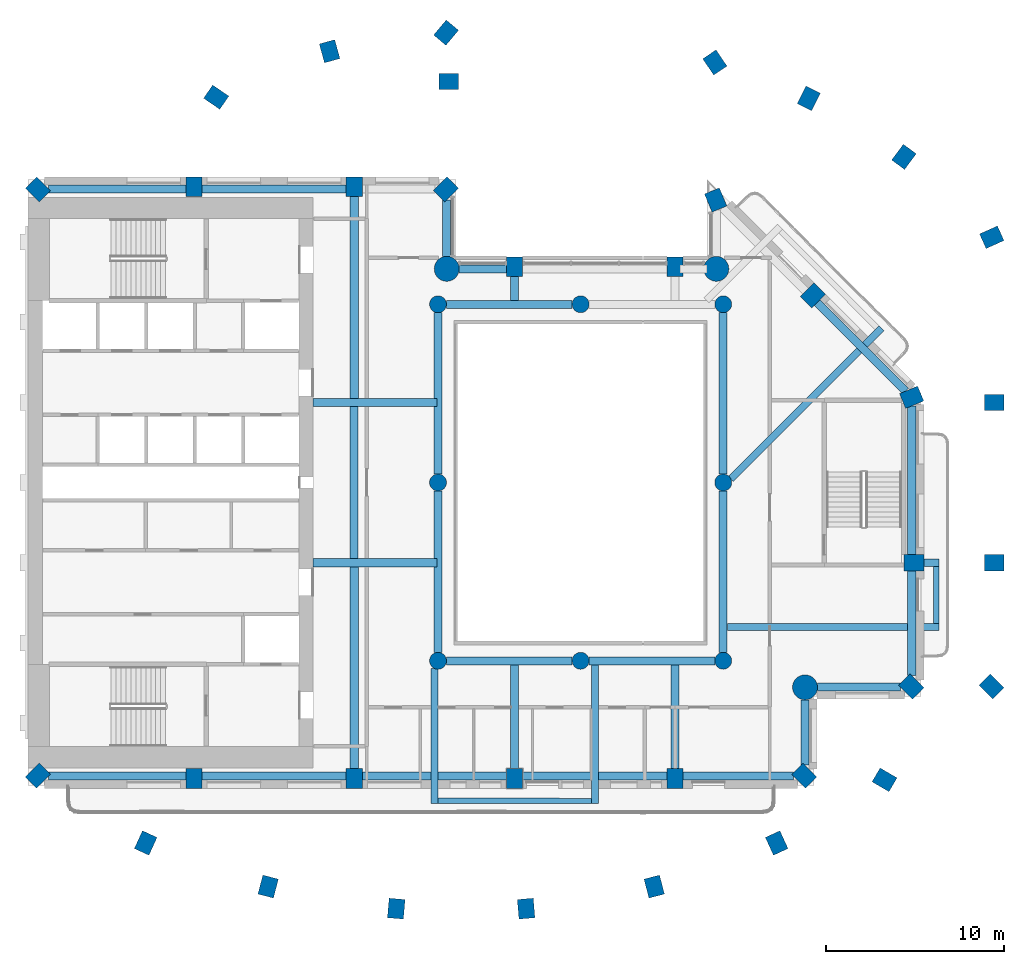
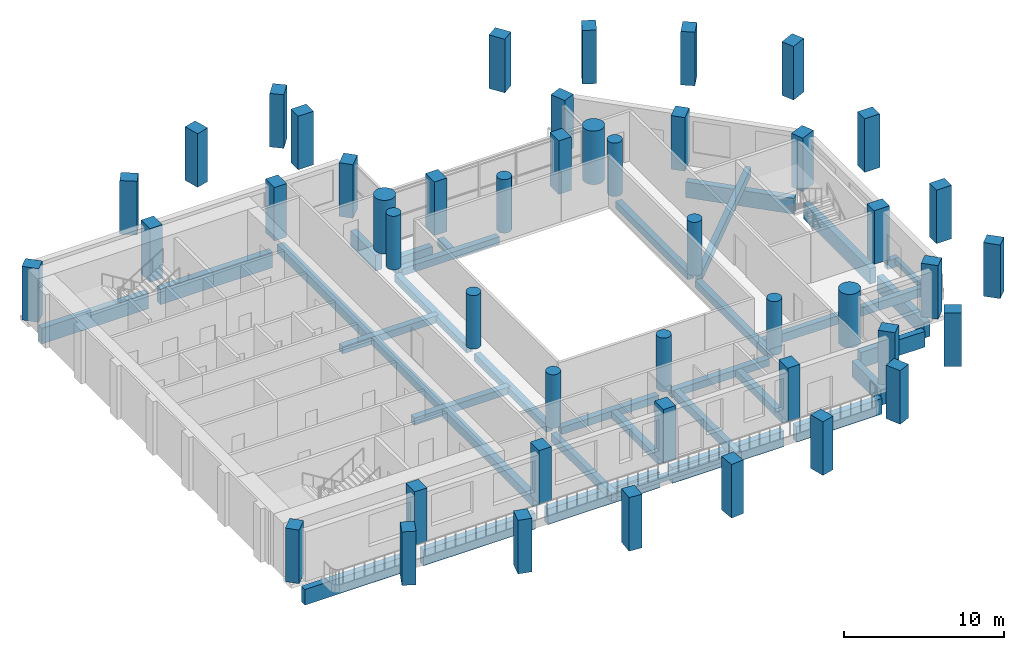
# One storey, part 1 of 14: 46 columns, 36 beams.
"""IFC4 building model written with IfcOpenShell, lengths in metres."""

from ifc_helpers import new_model, si_unit, direction, frame, origin, origin_2d, place, context, subcontext, project, spatial, rectangle, circle, extrude, material, material_profile, profile_set, type_object, element, save


model = new_model("IFC4")

# Units and contexts
model_context = context("Model", 3, precision=1e-05, world=origin(), true_north=direction((0.0, 1.0)))
body_context = subcontext(model_context, "Body", "Model", "MODEL_VIEW")
ifc_project = project(units=[si_unit("LENGTHUNIT", "METRE"), si_unit("AREAUNIT", "SQUARE_METRE"), si_unit("VOLUMEUNIT", "CUBIC_METRE"), si_unit("PLANEANGLEUNIT", "RADIAN"), si_unit("MASSUNIT", "GRAM", prefix="KILO")], contexts=[model_context])

# Site, building, storey
site_placement = place(None, origin())
site = spatial("IfcSite", under=ifc_project, at=site_placement, CompositionType="ELEMENT")
building_placement = place(site_placement, origin())
building = spatial("IfcBuilding", under=site, at=building_placement, Name="Cypress Arch Tower", CompositionType="ELEMENT")
storey_placement = place(building_placement, frame((0.0, 0.0, 201.5)))
storey = spatial("IfcBuildingStorey", under=building, at=storey_placement, Name="L44", CompositionType="ELEMENT", Elevation=201.5)

# Columns
ifc_material_1 = material(Name="Concrete C70/85", Category="concrete")
ifc_material_profile_1 = material_profile(ifc_material_1, rectangle(XDim=0.89990234375, YDim=1.10009765625, at=origin_2d()), Name="RC 900x1100")
ifc_profile_set_1 = profile_set([ifc_material_profile_1], Name="Concrete C70/85")
column_type_1 = type_object("IfcColumnType", Name="Column RC 900x1100 Concrete C70/85", PredefinedType="COLUMN", material=ifc_profile_set_1)
for number, where, z_axis, x_axis, name in (
    (1, (-29.44287109375, 16.44287109375, 0.0), (0.0, 0.0, 1.0), (-0.707106781187, -0.707106781187, 0.0), "Column L44 CB00"),
    (2, (-29.44287109375, -16.44287109375, 0.0), (0.0, 0.0, 1.0), (0.707106781187, -0.707106781187, 0.0), "Column L44 CB01"),
    (3, (-20.699951171875, -16.60009765625, 0.0), (0.0, 0.0, 1.0), (1.0, 0.0, 0.0), "Column L44 CB02"),
    (4, (-11.699951171875, -16.60009765625, 0.0), (0.0, 0.0, 1.0), (1.0, 0.0, 0.0), "Column L44 CB03"),
    (5, (-2.699951171875, -16.60009765625, 0.0), (0.0, 0.0, 1.0), (1.0, 0.0, 0.0), "Column L44 CB04"),
    (6, (6.300048828125, -16.60009765625, 0.0), (0.0, 0.0, 1.0), (1.0, 0.0, 0.0), "Column L44 CB05"),
    (7, (13.54296875, -16.44287109375, 0.0), (0.0, 0.0, 1.0), (0.707106781187, 0.707106781187, 0.0), "Column L44 CB06"),
    (8, (19.54296875, -11.44287109375, 0.0), (0.0, 0.0, 1.0), (0.707106781187, 0.707106781187, 0.0), "Column L44 CB08"),
    (9, (19.699951171875, -4.5, 0.0), (0.0, 0.0, 1.0), (0.0, 1.0, 0.0), "Column L44 CB09"),
    (10, (19.569580078125, 4.7802734375, 0.0), (0.0, 0.0, 1.0), (-0.382683496864, 0.923879505795, 0.0), "Column L44 CB10"),
    (11, (14.029296875, 10.505126953125, 0.0), (0.0, 0.0, 1.0), (-0.707106781187, 0.707106781187, 0.0), "Column L44 CB11"),
    (12, (8.576171875, 15.850341796875, 0.0), (0.0, 0.0, 1.0), (-0.923879672772, -0.382683093746, 0.0), "Column L44 CB12"),
    (13, (6.300048828125, 12.10009765625, 0.0), (0.0, 0.0, 1.0), (-1.0, 0.0, 0.0), "Column L44 CB14"),
    (14, (-2.699951171875, 12.10009765625, 0.0), (0.0, 0.0, 1.0), (-1.0, 0.0, 0.0), "Column L44 CB15"),
    (15, (-6.55712890625, 16.44287109375, 0.0), (0.0, 0.0, 1.0), (-0.707106781187, 0.707106781187, 0.0), "Column L44 CB17"),
    (16, (-11.699951171875, 16.60009765625, 0.0), (0.0, 0.0, 1.0), (-1.0, 0.0, 0.0), "Column L44 CB18"),
    (17, (-20.699951171875, 16.60009765625, 0.0), (0.0, 0.0, 1.0), (-1.0, 0.0, 0.0), "Column L44 CB19"),
    (18, (8.53076171875, 23.564697265625, 0.0), (0.0, 0.0, 1.0), (-0.828469606019, -0.560034027451, 0.0), "Column L44 CQ00"),
    (19, (-6.39990234375, 22.5, 0.0), (0.0, 0.0, 1.0), (0.0, 1.0, 0.0), "Column L44 CQ01"),
    (20, (-6.54833984375, 25.236572265625, 0.0), (0.0, 0.0, 1.0), (-0.766063514674, 0.642764880407, 0.0), "Column L44 CQ02"),
    (21, (-13.081298828125, 24.193359375, 0.0), (0.0, 0.0, 1.0), (-0.96345574646, -0.267867550506, 0.0), "Column L44 CQ03"),
    (22, (-19.44189453125, 21.616943359375, 0.0), (0.0, 0.0, 1.0), (-0.565892599589, -0.824478966215, 0.0), "Column L44 CQ04"),
    (23, (-23.398193359375, -20.221435546875, 0.0), (0.0, 0.0, 1.0), (0.909932071487, -0.414757308891, 0.0), "Column L44 CQ05"),
    (24, (-16.529052734375, -22.666259765625, 0.0), (0.0, 0.0, 1.0), (0.96735573689, -0.2534223319, 0.0), "Column L44 CQ06"),
    (25, (-9.3427734375, -23.903564453125, 0.0), (0.0, 0.0, 1.0), (0.996368206733, -0.085149260784, 0.0), "Column L44 CQ07"),
    (26, (-2.057373046875, -23.903564453125, 0.0), (0.0, 0.0, 1.0), (0.996368206733, 0.085149260784, 0.0), "Column L44 CQ08"),
    (27, (5.12890625, -22.666259765625, 0.0), (0.0, 0.0, 1.0), (0.96735573689, 0.2534223319, 0.0), "Column L44 CQ09"),
    (28, (11.998291015625, -20.221435546875, 0.0), (0.0, 0.0, 1.0), (0.909932071487, 0.414757308891, 0.0), "Column L44 CQ10"),
    (29, (18.048095703125, -16.677490234375, 0.0), (0.0, 0.0, 1.0), (0.504399289829, 0.86347053014, 0.0), "Column L44 CQ11"),
    (30, (24.04296875, -11.44287109375, 0.0), (0.0, 0.0, 1.0), (0.707106781187, 0.707106781187, 0.0), "Column L44 CQ12"),
    (31, (24.199951171875, -4.5, 0.0), (0.0, 0.0, 1.0), (0.0, 1.0, 0.0), "Column L44 CQ13"),
    (32, (24.199951171875, 4.5, 0.0), (0.0, 0.0, 1.0), (0.0, 1.0, 0.0), "Column L44 CQ14"),
    (33, (24.06396484375, 13.75927734375, 0.0), (0.0, 0.0, 1.0), (-0.409765058504, 0.912191096662, 0.0), "Column L44 CQ15"),
    (34, (19.13818359375, 18.267578125, 0.0), (0.0, 0.0, 1.0), (-0.802798546114, 0.596250362144, 0.0), "Column L44 CQ16"),
    (35, (13.80322265625, 21.549072265625, 0.0), (0.0, 0.0, 1.0), (-0.893106499805, 0.44984528452, 0.0), "Column L44 CQ17"),
):
    element("IfcColumn", number, at=place(storey_placement, frame(where, z_axis=z_axis, x_axis=x_axis)), inside=storey, type_object=column_type_1, Name=name, PredefinedType="COLUMN", context=body_context, shape_type="SweptSolid", body=[
        extrude(rectangle(XDim=0.89990234375, YDim=1.10009765625, at=origin_2d()), origin(), (0.0, 0.0, 1.0), 4.10009765625),
    ])
ifc_material_2 = material(Name="Concrete C70/85", Category="concrete")
ifc_material_profile_2 = material_profile(ifc_material_2, circle(Radius=0.47509765625, at=origin_2d()), Name="RC D950")
ifc_profile_set_2 = profile_set([ifc_material_profile_2], Name="Concrete C70/85")
column_type_2 = type_object("IfcColumnType", Name="Column RC D950 Concrete C70/85", PredefinedType="COLUMN", material=ifc_profile_set_2)
for number, where, z_axis, x_axis, name in (
    (36, (-7.0, -10.0, 0.0), (0.0, 0.0, 1.0), (1.0, 0.0, 0.0), "Column L44 RNG-L44-G-7-10"),
    (37, (-7.0, 0.0, 0.0), (0.0, 0.0, 1.0), (1.0, 0.0, 0.0), "Column L44 RNG-L44-G-7+0"),
    (38, (-7.0, 10.0, 0.0), (0.0, 0.0, 1.0), (1.0, 0.0, 0.0), "Column L44 RNG-L44-G-7+10"),
    (39, (1.0, -10.0, 0.0), (0.0, 0.0, 1.0), (1.0, 0.0, 0.0), "Column L44 RNG-L44-G+1-10"),
    (40, (1.0, 10.0, 0.0), (0.0, 0.0, 1.0), (1.0, 0.0, 0.0), "Column L44 RNG-L44-G+1+10"),
    (41, (9.0, -10.0, 0.0), (0.0, 0.0, 1.0), (1.0, 0.0, 0.0), "Column L44 RNG-L44-G+9-10"),
    (42, (9.0, 0.0, 0.0), (0.0, 0.0, 1.0), (1.0, 0.0, 0.0), "Column L44 RNG-L44-G+9+0"),
    (43, (9.0, 10.0, 0.0), (0.0, 0.0, 1.0), (1.0, 0.0, 0.0), "Column L44 RNG-L44-G+9+10"),
):
    element("IfcColumn", number, at=place(storey_placement, frame(where, z_axis=z_axis, x_axis=x_axis)), inside=storey, type_object=column_type_2, Name=name, PredefinedType="COLUMN", context=body_context, shape_type="SweptSolid", body=[
        extrude(circle(Radius=0.47509765625, at=origin_2d()), origin(), (0.0, 0.0, 1.0), 4.10009765625),
    ])
ifc_material_3 = material(Name="Concrete C70/85", Category="concrete")
ifc_material_profile_3 = material_profile(ifc_material_3, circle(Radius=0.699951171875, at=origin_2d()), Name="RC D1400")
ifc_profile_set_3 = profile_set([ifc_material_profile_3], Name="Concrete C70/85")
column_type_3 = type_object("IfcColumnType", Name="Mega-column RC D1400 Concrete C70/85", PredefinedType="COLUMN", material=ifc_profile_set_3)
for number, where, z_axis, x_axis, name in (
    (44, (13.587890625, -11.48779296875, 0.0), (0.0, 0.0, 1.0), (1.0, 0.0, 0.0), "Column L44 CB07"),
    (45, (8.612060546875, 11.98779296875, 0.0), (0.0, 0.0, 1.0), (1.0, 0.0, 0.0), "Column L44 CB13"),
    (46, (-6.51220703125, 11.98779296875, 0.0), (0.0, 0.0, 1.0), (1.0, 0.0, 0.0), "Column L44 CB16"),
):
    element("IfcColumn", number, at=place(storey_placement, frame(where, z_axis=z_axis, x_axis=x_axis)), inside=storey, type_object=column_type_3, Name=name, PredefinedType="COLUMN", context=body_context, shape_type="SweptSolid", body=[
        extrude(circle(Radius=0.699951171875, at=origin_2d()), origin(), (0.0, 0.0, 1.0), 4.10009765625),
    ])

# Beams
ifc_material_4 = material(Name="Concrete C50/60", Category="concrete")
ifc_material_profile_4 = material_profile(ifc_material_4, rectangle(XDim=0.300048828125, YDim=0.39990234375, at=origin_2d()), Name="RC 300x400")
ifc_profile_set_4 = profile_set([ifc_material_profile_4], Name="Concrete C50/60")
beam_type_1 = type_object("IfcBeamType", Name="Balcony edge beam RC 300x400 Concrete C50/60", PredefinedType="BEAM", material=ifc_profile_set_4)
beam_1_placement = place(storey_placement, frame((20.955810546875, -7.89990234375, -0.5), z_axis=(-0.001754784816, 0.999998460364, 0.0), x_axis=(-0.999998460364, -0.001754784816, 0.0)))
element("IfcBeam", 47, at=beam_1_placement, inside=storey, type_object=beam_type_1, Name="Balcony edge beam L44 B04", PredefinedType="BEAM", context=body_context, shape_type="SweptSolid", body=[
    extrude(rectangle(XDim=0.300048828125, YDim=0.39990234375, at=origin_2d()), origin(), (0.0, 0.0, 1.0), 3.199951171875),
])
ifc_material_5 = material(Name="Concrete C50/60", Category="concrete")
ifc_material_profile_5 = material_profile(ifc_material_5, rectangle(XDim=0.300048828125, YDim=0.449951171875, at=origin_2d()), Name="RC 300x450")
ifc_profile_set_5 = profile_set([ifc_material_profile_5], Name="Concrete C50/60")
beam_type_2 = type_object("IfcBeamType", Name="Balcony edge beam RC 300x450 Concrete C50/60", PredefinedType="BEAM", material=ifc_profile_set_5)
beam_2_placement = place(storey_placement, frame((-7.0, -17.853271484375, -0.52490234375), z_axis=(0.999999387125, -0.001107136095, 0.0), x_axis=(0.001107136095, 0.999999387125, 0.0)))
element("IfcBeam", 48, at=beam_2_placement, inside=storey, type_object=beam_type_2, Name="Balcony edge beam L44 B01", PredefinedType="BEAM", context=body_context, shape_type="SweptSolid", body=[
    extrude(rectangle(XDim=0.300048828125, YDim=0.449951171875, at=origin_2d()), origin(), (0.0, 0.0, 1.0), 8.60009765625),
])
ifc_material_6 = material(Name="Concrete C50/60", Category="concrete")
ifc_material_profile_6 = material_profile(ifc_material_6, rectangle(XDim=0.39990234375, YDim=0.64990234375, at=origin_2d()), Name="RC 400x650")
ifc_profile_set_6 = profile_set([ifc_material_profile_6], Name="Concrete C50/60")
beam_type_3 = type_object("IfcBeamType", Name="Cantilever beam RC 400x650 Concrete C50/60", PredefinedType="BEAM", material=ifc_profile_set_6)
beam_3_placement = place(storey_placement, frame((-7.199951171875, -10.4306640625, -0.625), z_axis=(0.0, -1.0, 0.0), x_axis=(1.0, 0.0, 0.0)))
element("IfcBeam", 49, at=beam_3_placement, inside=storey, type_object=beam_type_3, Name="Cantilever beam L44 B01 1", PredefinedType="BEAM", context=body_context, shape_type="SweptSolid", body=[
    extrude(rectangle(XDim=0.39990234375, YDim=0.64990234375, at=origin_2d()), origin(), (0.0, 0.0, 1.0), 7.57275390625),
])
beam_4_placement = place(storey_placement, frame((1.800048828125, -10.22509765625, -0.625), z_axis=(0.0, -1.0, 0.0), x_axis=(1.0, 0.0, 0.0)))
element("IfcBeam", 50, at=beam_4_placement, inside=storey, type_object=beam_type_3, Name="Cantilever beam L44 B01 2", PredefinedType="BEAM", context=body_context, shape_type="SweptSolid", body=[
    extrude(rectangle(XDim=0.39990234375, YDim=0.64990234375, at=origin_2d()), origin(), (0.0, 0.0, 1.0), 7.787841796875),
])
beam_5_placement = place(storey_placement, frame((9.22509765625, -8.10009765625, -0.625), z_axis=(1.0, 0.0, 0.0), x_axis=(0.0, 1.0, 0.0)))
element("IfcBeam", 51, at=beam_5_placement, inside=storey, type_object=beam_type_3, Name="Cantilever beam L44 B04 1", PredefinedType="BEAM", context=body_context, shape_type="SweptSolid", body=[
    extrude(rectangle(XDim=0.39990234375, YDim=0.64990234375, at=origin_2d()), origin(), (0.0, 0.0, 1.0), 11.880615234375),
])
beam_6_placement = place(storey_placement, frame((20.25, -4.5, -0.625), z_axis=(1.0, 0.0, 0.0), x_axis=(0.0, 1.0, 0.0)))
element("IfcBeam", 52, at=beam_6_placement, inside=storey, type_object=beam_type_3, Name="Cantilever beam L44 B04 2", PredefinedType="BEAM", context=body_context, shape_type="SweptSolid", body=[
    extrude(rectangle(XDim=0.39990234375, YDim=0.64990234375, at=origin_2d()), origin(), (0.0, 0.0, 1.0), 0.85009765625),
])
beam_7_placement = place(storey_placement, frame((9.4287109375, 0.204345703125, -0.625), z_axis=(0.707096559114, 0.707117003112, 0.0), x_axis=(-0.707117003112, 0.707096559114, 0.0)))
element("IfcBeam", 53, at=beam_7_placement, inside=storey, type_object=beam_type_3, Name="Cantilever beam L44 B05 1", PredefinedType="BEAM", context=body_context, shape_type="SweptSolid", body=[
    extrude(rectangle(XDim=0.39990234375, YDim=0.64990234375, at=origin_2d()), origin(), (0.0, 0.0, 1.0), 11.94189453125),
])
ifc_material_7 = material(Name="Concrete C50/60", Category="concrete")
ifc_material_profile_7 = material_profile(ifc_material_7, rectangle(XDim=0.449951171875, YDim=0.550048828125, at=origin_2d()), Name="RC 450x550")
ifc_profile_set_7 = profile_set([ifc_material_profile_7], Name="Concrete C50/60")
beam_type_4 = type_object("IfcBeamType", Name="Floor beam RC 450x550 Concrete C50/60", PredefinedType="BEAM", material=ifc_profile_set_7)
for number, where, z_axis, x_axis, name in (
    (54, (-7.0, -9.52490234375, -0.574951171875), (0.0, 1.0, 0.0), (-1.0, 0.0, 0.0), "Floor beam L44 RB001"),
    (55, (-7.0, 0.47509765625, -0.574951171875), (0.0, 1.0, 0.0), (-1.0, 0.0, 0.0), "Floor beam L44 RB002"),
    (56, (9.0, -9.52490234375, -0.574951171875), (0.0, 1.0, 0.0), (-1.0, 0.0, 0.0), "Floor beam L44 RB003"),
    (57, (9.0, 0.47509765625, -0.574951171875), (0.0, 1.0, 0.0), (-1.0, 0.0, 0.0), "Floor beam L44 RB004"),
):
    element("IfcBeam", number, at=place(storey_placement, frame(where, z_axis=z_axis, x_axis=x_axis)), inside=storey, type_object=beam_type_4, Name=name, PredefinedType="BEAM", context=body_context, shape_type="SweptSolid", body=[
        extrude(rectangle(XDim=0.449951171875, YDim=0.550048828125, at=origin_2d()), origin(), (0.0, 0.0, 1.0), 9.0498046875),
    ])
for number, where, z_axis, x_axis, name in (
    (58, (-6.52490234375, -10.0, -0.574951171875), (1.0, 0.0, 0.0), (0.0, 1.0, 0.0), "Floor beam L44 RB005"),
    (59, (1.47509765625, -10.0, -0.574951171875), (1.0, 0.0, 0.0), (0.0, 1.0, 0.0), "Floor beam L44 RB006"),
    (60, (-6.52490234375, 10.0, -0.574951171875), (1.0, 0.0, 0.0), (0.0, 1.0, 0.0), "Floor beam L44 RB007"),
):
    element("IfcBeam", number, at=place(storey_placement, frame(where, z_axis=z_axis, x_axis=x_axis)), inside=storey, type_object=beam_type_4, Name=name, PredefinedType="BEAM", context=body_context, shape_type="SweptSolid", body=[
        extrude(rectangle(XDim=0.449951171875, YDim=0.550048828125, at=origin_2d()), origin(), (0.0, 0.0, 1.0), 7.0498046875),
    ])
for number, where, z_axis, x_axis, name in (
    (61, (-14.0, -4.5, -0.574951171875), (1.0, 0.0, 0.0), (0.0, 1.0, 0.0), "Floor beam L44 FB009"),
    (62, (-14.0, 4.5, -0.574951171875), (1.0, 0.0, 0.0), (0.0, 1.0, 0.0), "Floor beam L44 FB010"),
):
    element("IfcBeam", number, at=place(storey_placement, frame(where, z_axis=z_axis, x_axis=x_axis)), inside=storey, type_object=beam_type_4, Name=name, PredefinedType="BEAM", context=body_context, shape_type="SweptSolid", body=[
        extrude(rectangle(XDim=0.449951171875, YDim=0.550048828125, at=origin_2d()), origin(), (0.0, 0.0, 1.0), 6.949951171875),
    ])
beam_8_placement = place(storey_placement, frame((-11.699951171875, -4.27490234375, -0.574951171875), z_axis=(0.0, 1.0, 0.0), x_axis=(-1.0, 0.0, 0.0)))
element("IfcBeam", 63, at=beam_8_placement, inside=storey, type_object=beam_type_4, Name="Floor beam L44 FB012", PredefinedType="BEAM", context=body_context, shape_type="SweptSolid", body=[
    extrude(rectangle(XDim=0.449951171875, YDim=0.550048828125, at=origin_2d()), origin(), (0.0, 0.0, 1.0), 8.5498046875),
])
beam_9_placement = place(storey_placement, frame((-2.699951171875, -16.050048828125, -0.574951171875), z_axis=(0.0, 1.0, 0.0), x_axis=(-1.0, 0.0, 0.0)))
element("IfcBeam", 64, at=beam_9_placement, inside=storey, type_object=beam_type_4, Name="Floor beam L44 FB014", PredefinedType="BEAM", context=body_context, shape_type="SweptSolid", body=[
    extrude(rectangle(XDim=0.449951171875, YDim=0.550048828125, at=origin_2d()), origin(), (0.0, 0.0, 1.0), 5.824951171875),
])
beam_10_placement = place(storey_placement, frame((-2.699951171875, 10.22509765625, -0.574951171875), z_axis=(0.0, 1.0, 0.0), x_axis=(-1.0, 0.0, 0.0)))
element("IfcBeam", 65, at=beam_10_placement, inside=storey, type_object=beam_type_4, Name="Floor beam L44 FB015", PredefinedType="BEAM", context=body_context, shape_type="SweptSolid", body=[
    extrude(rectangle(XDim=0.449951171875, YDim=0.550048828125, at=origin_2d()), origin(), (0.0, 0.0, 1.0), 1.324951171875),
])
beam_11_placement = place(storey_placement, frame((6.300048828125, -16.050048828125, -0.574951171875), z_axis=(0.0, 1.0, 0.0), x_axis=(-1.0, 0.0, 0.0)))
element("IfcBeam", 66, at=beam_11_placement, inside=storey, type_object=beam_type_4, Name="Floor beam L44 FB016", PredefinedType="BEAM", context=body_context, shape_type="SweptSolid", body=[
    extrude(rectangle(XDim=0.449951171875, YDim=0.550048828125, at=origin_2d()), origin(), (0.0, 0.0, 1.0), 5.824951171875),
])
ifc_material_8 = material(Name="Concrete C50/60", Category="concrete")
ifc_material_profile_8 = material_profile(ifc_material_8, rectangle(XDim=0.5, YDim=0.64990234375, at=origin_2d()), Name="RC 500x650")
ifc_profile_set_8 = profile_set([ifc_material_profile_8], Name="Concrete C50/60")
beam_type_5 = type_object("IfcBeamType", Name="Floor beam RC 500x650 Concrete C50/60", PredefinedType="BEAM", material=ifc_profile_set_8)
for number, where, z_axis, x_axis, name in (
    (67, (-11.699951171875, -16.050048828125, -0.625), (0.0, 1.0, 0.0), (-1.0, 0.0, 0.0), "Floor beam L44 FB011"),
    (68, (-11.699951171875, 4.72509765625, -0.625), (0.0, 1.0, 0.0), (-1.0, 0.0, 0.0), "Floor beam L44 FB013"),
):
    element("IfcBeam", number, at=place(storey_placement, frame(where, z_axis=z_axis, x_axis=x_axis)), inside=storey, type_object=beam_type_5, Name=name, PredefinedType="BEAM", context=body_context, shape_type="SweptSolid", body=[
        extrude(rectangle(XDim=0.5, YDim=0.64990234375, at=origin_2d()), origin(), (0.0, 0.0, 1.0), 11.324951171875),
    ])
ifc_material_9 = material(Name="Concrete C50/60", Category="concrete")
ifc_material_profile_9 = material_profile(ifc_material_9, rectangle(XDim=0.449951171875, YDim=1.199951171875, at=origin_2d()), Name="RC 450x1200")
ifc_profile_set_9 = profile_set([ifc_material_profile_9], Name="Concrete C50/60")
beam_type_6 = type_object("IfcBeamType", Name="Spandrel beam RC 450x1200 Concrete C50/60", PredefinedType="SPANDREL", material=ifc_profile_set_9)
beam_12_placement = place(storey_placement, frame((-28.838623046875, -16.47509765625, -1.550048828125), z_axis=(1.0, 0.0, 0.0), x_axis=(0.0, 1.0, 0.0)))
element("IfcBeam", 69, at=beam_12_placement, inside=storey, type_object=beam_type_6, Name="Spandrel beam L44 BB01-0", PredefinedType="SPANDREL", context=body_context, shape_type="SweptSolid", body=[
    extrude(rectangle(XDim=0.449951171875, YDim=1.199951171875, at=origin_2d()), origin(), (0.0, 0.0, 1.0), 7.688720703125),
])
for number, where, z_axis, x_axis, name in (
    (70, (-20.25, -16.47509765625, -1.550048828125), (1.0, 0.0, 0.0), (0.0, 1.0, 0.0), "Spandrel beam L44 BB01-1"),
    (71, (-11.25, -16.47509765625, -1.550048828125), (1.0, 0.0, 0.0), (0.0, 1.0, 0.0), "Spandrel beam L44 BB01-2"),
    (72, (-2.25, -16.47509765625, -1.550048828125), (1.0, 0.0, 0.0), (0.0, 1.0, 0.0), "Spandrel beam L44 BB01-3"),
):
    element("IfcBeam", number, at=place(storey_placement, frame(where, z_axis=z_axis, x_axis=x_axis)), inside=storey, type_object=beam_type_6, Name=name, PredefinedType="SPANDREL", context=body_context, shape_type="SweptSolid", body=[
        extrude(rectangle(XDim=0.449951171875, YDim=1.199951171875, at=origin_2d()), origin(), (0.0, 0.0, 1.0), 8.10009765625),
    ])
beam_13_placement = place(storey_placement, frame((6.75, -16.47509765625, -1.550048828125), z_axis=(1.0, 0.0, 0.0), x_axis=(0.0, 1.0, 0.0)))
element("IfcBeam", 73, at=beam_13_placement, inside=storey, type_object=beam_type_6, Name="Spandrel beam L44 BB01-4", PredefinedType="SPANDREL", context=body_context, shape_type="SweptSolid", body=[
    extrude(rectangle(XDim=0.449951171875, YDim=1.199951171875, at=origin_2d()), origin(), (0.0, 0.0, 1.0), 6.188720703125),
])
beam_14_placement = place(storey_placement, frame((13.574951171875, -15.838623046875, -1.550048828125), z_axis=(0.0, 1.0, 0.0), x_axis=(-1.0, 0.0, 0.0)))
element("IfcBeam", 74, at=beam_14_placement, inside=storey, type_object=beam_type_6, Name="Spandrel beam L44 BB02-0", PredefinedType="SPANDREL", context=body_context, shape_type="SweptSolid", body=[
    extrude(rectangle(XDim=0.449951171875, YDim=1.199951171875, at=origin_2d()), origin(), (0.0, 0.0, 1.0), 3.651123046875),
])
beam_15_placement = place(storey_placement, frame((14.28759765625, -11.47509765625, -1.550048828125), z_axis=(1.0, 0.0, 0.0), x_axis=(0.0, 1.0, 0.0)))
element("IfcBeam", 75, at=beam_15_placement, inside=storey, type_object=beam_type_6, Name="Spandrel beam L44 BB03-0", PredefinedType="SPANDREL", context=body_context, shape_type="SweptSolid", body=[
    extrude(rectangle(XDim=0.449951171875, YDim=1.199951171875, at=origin_2d()), origin(), (0.0, 0.0, 1.0), 4.651123046875),
])
beam_16_placement = place(storey_placement, frame((19.574951171875, -10.838623046875, -1.550048828125), z_axis=(0.0, 1.0, 0.0), x_axis=(-1.0, 0.0, 0.0)))
element("IfcBeam", 76, at=beam_16_placement, inside=storey, type_object=beam_type_6, Name="Spandrel beam L44 BB04-0", PredefinedType="SPANDREL", context=body_context, shape_type="SweptSolid", body=[
    extrude(rectangle(XDim=0.449951171875, YDim=1.199951171875, at=origin_2d()), origin(), (0.0, 0.0, 1.0), 5.888671875),
])
beam_17_placement = place(storey_placement, frame((19.574951171875, -4.050048828125, -1.550048828125), z_axis=(0.0, 1.0, 0.0), x_axis=(-1.0, 0.0, 0.0)))
element("IfcBeam", 77, at=beam_17_placement, inside=storey, type_object=beam_type_6, Name="Spandrel beam L44 BB04-1", PredefinedType="SPANDREL", context=body_context, shape_type="SweptSolid", body=[
    extrude(rectangle(XDim=0.449951171875, YDim=1.199951171875, at=origin_2d()), origin(), (0.0, 0.0, 1.0), 8.345458984375),
])
beam_18_placement = place(storey_placement, frame((19.23046875, 5.126953125, -1.550048828125), z_axis=(-0.707106781187, 0.707106781187, 0.0), x_axis=(-0.707106781187, -0.707106781187, 0.0)))
element("IfcBeam", 78, at=beam_18_placement, inside=storey, type_object=beam_type_6, Name="Spandrel beam L44 BB05-0", PredefinedType="SPANDREL", context=body_context, shape_type="SweptSolid", body=[
    extrude(rectangle(XDim=0.449951171875, YDim=1.199951171875, at=origin_2d()), origin(), (0.0, 0.0, 1.0), 7.03076171875),
])
beam_19_placement = place(storey_placement, frame((-3.14990234375, 11.97509765625, -1.550048828125), z_axis=(-1.0, 0.0, 0.0), x_axis=(0.0, -1.0, 0.0)))
element("IfcBeam", 79, at=beam_19_placement, inside=storey, type_object=beam_type_6, Name="Spandrel beam L44 BB07-2", PredefinedType="SPANDREL", context=body_context, shape_type="SweptSolid", body=[
    extrude(rectangle(XDim=0.449951171875, YDim=1.199951171875, at=origin_2d()), origin(), (0.0, 0.0, 1.0), 2.66259765625),
])
beam_20_placement = place(storey_placement, frame((-6.52490234375, 12.6875, -1.550048828125), z_axis=(0.0, 1.0, 0.0), x_axis=(-1.0, 0.0, 0.0)))
element("IfcBeam", 80, at=beam_20_placement, inside=storey, type_object=beam_type_6, Name="Spandrel beam L44 BB08-0", PredefinedType="SPANDREL", context=body_context, shape_type="SweptSolid", body=[
    extrude(rectangle(XDim=0.449951171875, YDim=1.199951171875, at=origin_2d()), origin(), (0.0, 0.0, 1.0), 3.151123046875),
])
beam_21_placement = place(storey_placement, frame((-12.14990234375, 16.47509765625, -1.550048828125), z_axis=(-1.0, 0.0, 0.0), x_axis=(0.0, -1.0, 0.0)))
element("IfcBeam", 81, at=beam_21_placement, inside=storey, type_object=beam_type_6, Name="Spandrel beam L44 BB09-1", PredefinedType="SPANDREL", context=body_context, shape_type="SweptSolid", body=[
    extrude(rectangle(XDim=0.449951171875, YDim=1.199951171875, at=origin_2d()), origin(), (0.0, 0.0, 1.0), 8.10009765625),
])
beam_22_placement = place(storey_placement, frame((-21.14990234375, 16.47509765625, -1.550048828125), z_axis=(-1.0, 0.0, 0.0), x_axis=(0.0, -1.0, 0.0)))
element("IfcBeam", 82, at=beam_22_placement, inside=storey, type_object=beam_type_6, Name="Spandrel beam L44 BB09-2", PredefinedType="SPANDREL", context=body_context, shape_type="SweptSolid", body=[
    extrude(rectangle(XDim=0.449951171875, YDim=1.199951171875, at=origin_2d()), origin(), (0.0, 0.0, 1.0), 7.688720703125),
])

save(model, "model.ifc")
